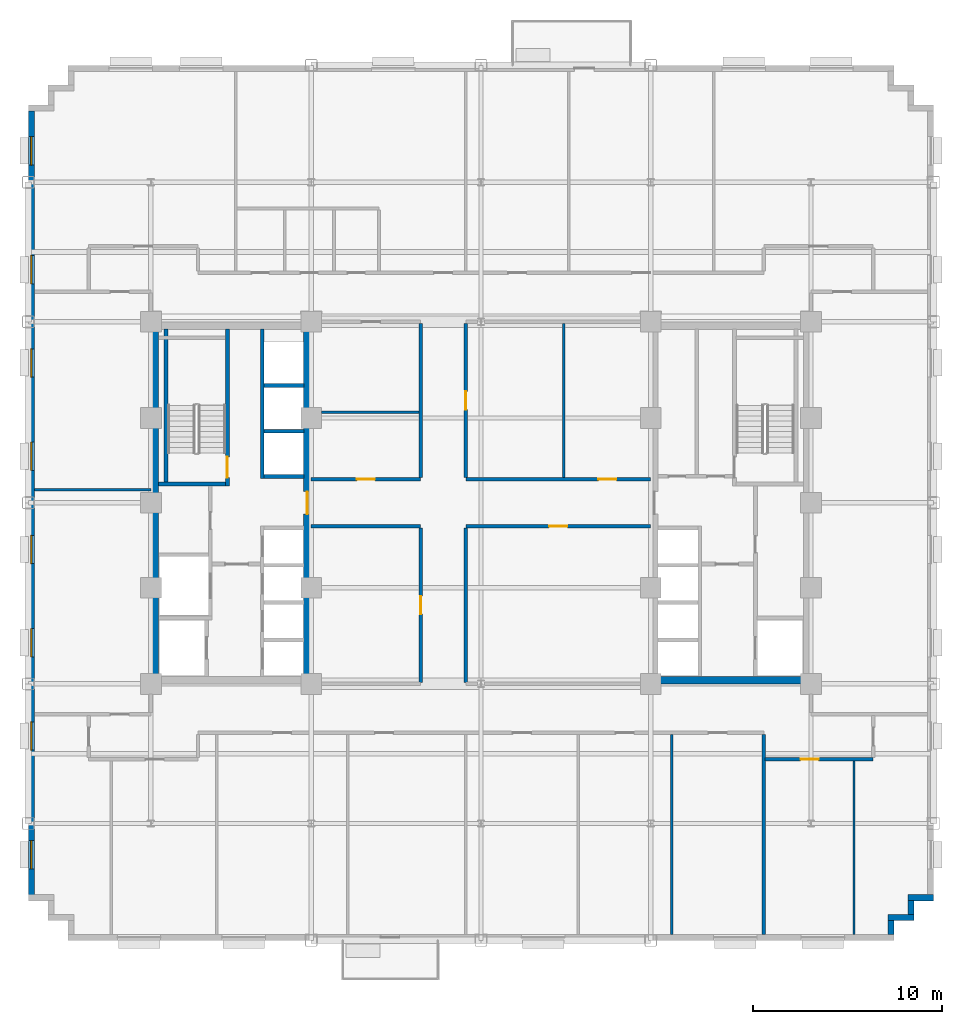
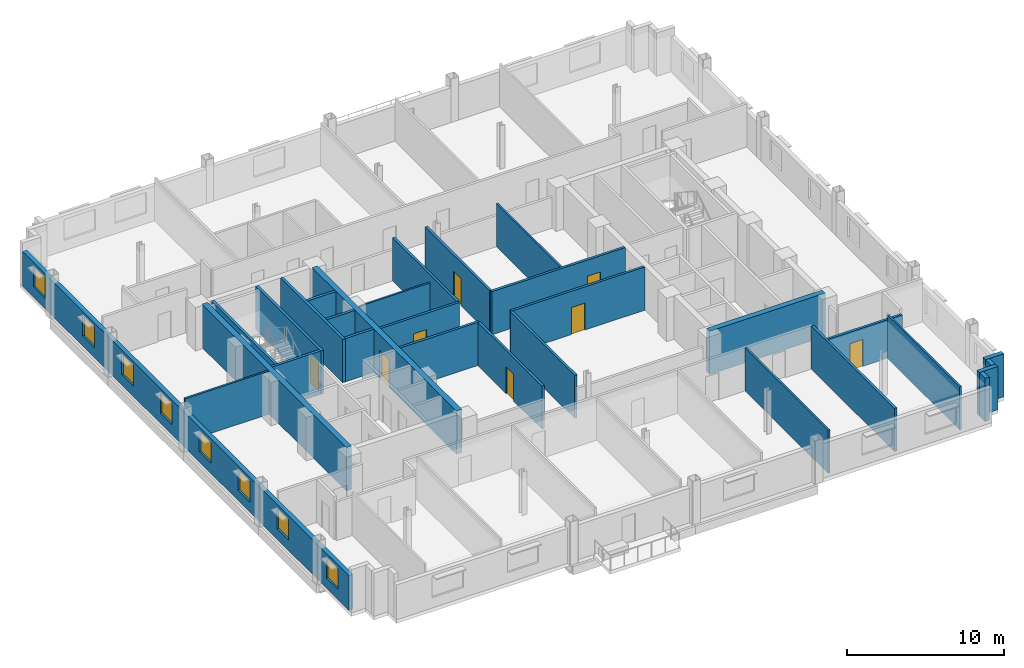
# One storey, part 7 of 14: 30 walls, 8 doors, 8 windows, 16 openings.
"""IFC4 building model written with IfcOpenShell, lengths in metres."""

from ifc_helpers import new_model, si_unit, direction, frame, frame_2d, origin, place, context, subcontext, project, spatial, rectangle, extrude, source, transform, mapped, material, layer, layer_set, type_object, type_shapes, element, fill, save


model = new_model("IFC4")

# Units and contexts
model_context = context("Model", 3, precision=1e-05, world=origin(), true_north=direction((0.0, 1.0)))
body_context = subcontext(model_context, "Body", "Model", "MODEL_VIEW")
ifc_project = project(units=[si_unit("LENGTHUNIT", "METRE"), si_unit("AREAUNIT", "SQUARE_METRE"), si_unit("VOLUMEUNIT", "CUBIC_METRE"), si_unit("PLANEANGLEUNIT", "RADIAN"), si_unit("MASSUNIT", "GRAM", prefix="KILO")], contexts=[model_context])

# Site, building, storey
site_placement = place(None, origin())
site = spatial("IfcSite", under=ifc_project, at=site_placement, CompositionType="ELEMENT")
building_placement = place(site_placement, origin())
building = spatial("IfcBuilding", under=site, at=building_placement, Name="Nuvemarco Arch Tower", CompositionType="ELEMENT")
storey_placement = place(building_placement, frame((0.0, 0.0, 101.949951171875)))
storey = spatial("IfcBuildingStorey", under=building, at=storey_placement, Name="L26", CompositionType="ELEMENT", Elevation=101.949951171875)

# Walls
ifc_material_1 = material(Name="Precast concrete C45/55", Category="concrete")
ifc_layer_1 = layer(ifc_material_1, 0.320068359375, Name="EW-MID-320")
ifc_layer_set_1 = layer_set([ifc_layer_1], Name="Precast concrete C45/55")
wall_type_1 = type_object("IfcWallType", Name="EW-MID-320", PredefinedType="STANDARD", material=ifc_layer_set_1)
wall_1_placement = place(storey_placement, frame((21.739990234375, -22.884033203125, 0.0), z_axis=(0.0, 0.0, 1.0), x_axis=(0.0, 1.0, 0.0)))
element("IfcWall", 1, at=wall_1_placement, inside=storey, type_object=wall_type_1, Name="L26 exterior precast facade wall 2", PredefinedType="STANDARD", context=body_context, shape_type="SweptSolid", body=[
    extrude(rectangle(XDim=0.738037109375, YDim=0.320068359375, at=frame_2d((0.369140625, 0.0))), origin(), (0.0, 0.0, 1.0), 3.360107421875),
])
wall_2_placement = place(storey_placement, frame((21.580078125, -21.989990234375, 0.0), z_axis=(0.0, 0.0, 1.0), x_axis=(1.0, 0.0, 0.0)))
element("IfcWall", 2, at=wall_2_placement, inside=storey, type_object=wall_type_1, Name="L26 exterior precast facade wall 3", PredefinedType="STANDARD", context=body_context, shape_type="SweptSolid", body=[
    extrude(rectangle(XDim=1.369873046875, YDim=0.320068359375, at=frame_2d((0.68505859375, 0.0))), origin(), (0.0, 0.0, 1.0), 3.360107421875),
])
wall_3_placement = place(storey_placement, frame((22.7900390625, -21.833984375, 0.0), z_axis=(0.0, 0.0, 1.0), x_axis=(0.0, 1.0, 0.0)))
element("IfcWall", 3, at=wall_3_placement, inside=storey, type_object=wall_type_1, Name="L26 exterior precast facade wall 4", PredefinedType="STANDARD", context=body_context, shape_type="SweptSolid", body=[
    extrude(rectangle(XDim=0.738037109375, YDim=0.320068359375, at=frame_2d((0.369140625, 0.0))), origin(), (0.0, 0.0, 1.0), 3.360107421875),
])
wall_4_placement = place(storey_placement, frame((22.6298828125, -20.93994140625, 0.0), z_axis=(0.0, 0.0, 1.0), x_axis=(1.0, 0.0, 0.0)))
element("IfcWall", 4, at=wall_4_placement, inside=storey, type_object=wall_type_1, Name="L26 exterior precast facade wall 5", PredefinedType="STANDARD", context=body_context, shape_type="SweptSolid", body=[
    extrude(rectangle(XDim=1.3701171875, YDim=0.320068359375, at=frame_2d((0.68505859375, 0.0))), origin(), (0.0, 0.0, 1.0), 3.360107421875),
])

# Wall, openings, windows
wall_5_placement = place(storey_placement, frame((-23.840087890625, -20.783935546875, 0.0), z_axis=(0.0, 0.0, 1.0), x_axis=(0.0, 1.0, 0.0)))
wall_5 = element("IfcWall", 5, at=wall_5_placement, inside=storey, type_object=wall_type_1, Name="L26 exterior precast facade wall 16", PredefinedType="STANDARD", context=body_context, shape_type="SweptSolid", body=[
    extrude(rectangle(XDim=41.56787109375, YDim=0.320068359375, at=frame_2d((20.783935546875, 0.0))), origin(), (0.0, 0.0, 1.0), 2.705078125),
])
opening_1_placement = place(wall_5_placement, frame((1.373046875, 0.0, 0.800048828125)))
opening_1 = element("IfcOpeningElement", 6, at=opening_1_placement, cuts=wall_5, Name="Opening WN-11", PredefinedType="OPENING", context=body_context, shape_type="SweptSolid", body=[
    extrude(rectangle(XDim=1.5, YDim=1.60009765625, at=frame_2d((0.75, 0.800048828125))), frame((0.0, 0.169921875, 0.0), z_axis=(0.0, -1.0, 0.0), x_axis=(1.0, 0.0, 0.0)), (0.0, 0.0, 1.0), 0.340087890625),
])
opening_2_placement = place(wall_5_placement, frame((7.6689453125, 0.0, 0.800048828125)))
opening_2 = element("IfcOpeningElement", 7, at=opening_2_placement, cuts=wall_5, Name="Opening WN-11", PredefinedType="OPENING", context=body_context, shape_type="SweptSolid", body=[
    extrude(rectangle(XDim=1.5, YDim=1.60009765625, at=frame_2d((0.75, 0.800048828125))), frame((0.0, 0.169921875, 0.0), z_axis=(0.0, -1.0, 0.0), x_axis=(1.0, 0.0, 0.0)), (0.0, 0.0, 1.0), 0.340087890625),
])
opening_3_placement = place(wall_5_placement, frame((12.614990234375, 0.0, 0.800048828125)))
opening_3 = element("IfcOpeningElement", 8, at=opening_3_placement, cuts=wall_5, Name="Opening WN-11", PredefinedType="OPENING", context=body_context, shape_type="SweptSolid", body=[
    extrude(rectangle(XDim=1.5, YDim=1.60009765625, at=frame_2d((0.75, 0.800048828125))), frame((0.0, 0.169921875, 0.0), z_axis=(0.0, -1.0, 0.0), x_axis=(1.0, 0.0, 0.0)), (0.0, 0.0, 1.0), 0.340087890625),
])
opening_4_placement = place(wall_5_placement, frame((17.56103515625, 0.0, 0.800048828125)))
opening_4 = element("IfcOpeningElement", 9, at=opening_4_placement, cuts=wall_5, Name="Opening WN-11", PredefinedType="OPENING", context=body_context, shape_type="SweptSolid", body=[
    extrude(rectangle(XDim=1.5, YDim=1.60009765625, at=frame_2d((0.75, 0.800048828125))), frame((0.0, 0.169921875, 0.0), z_axis=(0.0, -1.0, 0.0), x_axis=(1.0, 0.0, 0.0)), (0.0, 0.0, 1.0), 0.340087890625),
])
opening_5_placement = place(wall_5_placement, frame((22.507080078125, 0.0, 0.800048828125)))
opening_5 = element("IfcOpeningElement", 10, at=opening_5_placement, cuts=wall_5, Name="Opening WN-11", PredefinedType="OPENING", context=body_context, shape_type="SweptSolid", body=[
    extrude(rectangle(XDim=1.5, YDim=1.60009765625, at=frame_2d((0.75, 0.800048828125))), frame((0.0, 0.169921875, 0.0), z_axis=(0.0, -1.0, 0.0), x_axis=(1.0, 0.0, 0.0)), (0.0, 0.0, 1.0), 0.340087890625),
])
opening_6_placement = place(wall_5_placement, frame((27.452880859375, 0.0, 0.800048828125)))
opening_6 = element("IfcOpeningElement", 11, at=opening_6_placement, cuts=wall_5, Name="Opening WN-11", PredefinedType="OPENING", context=body_context, shape_type="SweptSolid", body=[
    extrude(rectangle(XDim=1.5, YDim=1.60009765625, at=frame_2d((0.75, 0.800048828125))), frame((0.0, 0.169921875, 0.0), z_axis=(0.0, -1.0, 0.0), x_axis=(1.0, 0.0, 0.0)), (0.0, 0.0, 1.0), 0.340087890625),
])
opening_7_placement = place(wall_5_placement, frame((32.39892578125, 0.0, 0.800048828125)))
opening_7 = element("IfcOpeningElement", 12, at=opening_7_placement, cuts=wall_5, Name="Opening WN-11", PredefinedType="OPENING", context=body_context, shape_type="SweptSolid", body=[
    extrude(rectangle(XDim=1.5, YDim=1.60009765625, at=frame_2d((0.75, 0.800048828125))), frame((0.0, 0.169921875, 0.0), z_axis=(0.0, -1.0, 0.0), x_axis=(1.0, 0.0, 0.0)), (0.0, 0.0, 1.0), 0.340087890625),
])
opening_8_placement = place(wall_5_placement, frame((38.695068359375, 0.0, 0.800048828125)))
opening_8 = element("IfcOpeningElement", 13, at=opening_8_placement, cuts=wall_5, Name="Opening WN-11", PredefinedType="OPENING", context=body_context, shape_type="SweptSolid", body=[
    extrude(rectangle(XDim=1.5, YDim=1.60009765625, at=frame_2d((0.75, 0.800048828125))), frame((0.0, 0.169921875, 0.0), z_axis=(0.0, -1.0, 0.0), x_axis=(1.0, 0.0, 0.0)), (0.0, 0.0, 1.0), 0.340087890625),
])
ifc_material_2 = material(Name="Insulated solar-control glass", Category="glass")
window_type = type_object("IfcWindowType", Name="WN-STEP-1500x1850", PartitioningType="SINGLE_PANEL", PredefinedType="WINDOW", material=ifc_material_2)
shared_shape_1 = source(origin(), body_context, "Body", "SweptSolid", [
    extrude(rectangle(XDim=1.5, YDim=1.60009765625, at=frame_2d((0.75, 0.800048828125))), frame((0.0, 0.030029296875, 0.0), z_axis=(0.0, -1.0, 0.0), x_axis=(1.0, 0.0, 0.0)), (0.0, 0.0, 1.0), 0.06005859375),
])
type_shapes(window_type, [shared_shape_1])
window_1_placement = place(opening_1_placement, origin())
window_1 = element("IfcWindow", 14, at=window_1_placement, inside=storey, type_object=window_type, Name="L26 punched facade window 1", OverallHeight=1.60009765625, OverallWidth=1.5, PartitioningType="SINGLE_PANEL", PredefinedType="WINDOW", context=body_context, shape_type="MappedRepresentation", body=[
    mapped(shared_shape_1, transform((0.0, 0.0, 0.0), scale=1.0)),
])
fill(opening_1, window_1)
window_2_placement = place(opening_2_placement, origin())
window_2 = element("IfcWindow", 15, at=window_2_placement, inside=storey, type_object=window_type, Name="L26 punched facade window 2", OverallHeight=1.60009765625, OverallWidth=1.5, PartitioningType="SINGLE_PANEL", PredefinedType="WINDOW", context=body_context, shape_type="MappedRepresentation", body=[
    mapped(shared_shape_1, transform((0.0, 0.0, 0.0), scale=1.0)),
])
fill(opening_2, window_2)
window_3_placement = place(opening_3_placement, origin())
window_3 = element("IfcWindow", 16, at=window_3_placement, inside=storey, type_object=window_type, Name="L26 punched facade window 3", OverallHeight=1.60009765625, OverallWidth=1.5, PartitioningType="SINGLE_PANEL", PredefinedType="WINDOW", context=body_context, shape_type="MappedRepresentation", body=[
    mapped(shared_shape_1, transform((0.0, 0.0, 0.0), scale=1.0)),
])
fill(opening_3, window_3)
window_4_placement = place(opening_4_placement, origin())
window_4 = element("IfcWindow", 17, at=window_4_placement, inside=storey, type_object=window_type, Name="L26 punched facade window 4", OverallHeight=1.60009765625, OverallWidth=1.5, PartitioningType="SINGLE_PANEL", PredefinedType="WINDOW", context=body_context, shape_type="MappedRepresentation", body=[
    mapped(shared_shape_1, transform((0.0, 0.0, 0.0), scale=1.0)),
])
fill(opening_4, window_4)
window_5_placement = place(opening_5_placement, origin())
window_5 = element("IfcWindow", 18, at=window_5_placement, inside=storey, type_object=window_type, Name="L26 punched facade window 5", OverallHeight=1.60009765625, OverallWidth=1.5, PartitioningType="SINGLE_PANEL", PredefinedType="WINDOW", context=body_context, shape_type="MappedRepresentation", body=[
    mapped(shared_shape_1, transform((0.0, 0.0, 0.0), scale=1.0)),
])
fill(opening_5, window_5)
window_6_placement = place(opening_6_placement, origin())
window_6 = element("IfcWindow", 19, at=window_6_placement, inside=storey, type_object=window_type, Name="L26 punched facade window 6", OverallHeight=1.60009765625, OverallWidth=1.5, PartitioningType="SINGLE_PANEL", PredefinedType="WINDOW", context=body_context, shape_type="MappedRepresentation", body=[
    mapped(shared_shape_1, transform((0.0, 0.0, 0.0), scale=1.0)),
])
fill(opening_6, window_6)
window_7_placement = place(opening_7_placement, origin())
window_7 = element("IfcWindow", 20, at=window_7_placement, inside=storey, type_object=window_type, Name="L26 punched facade window 7", OverallHeight=1.60009765625, OverallWidth=1.5, PartitioningType="SINGLE_PANEL", PredefinedType="WINDOW", context=body_context, shape_type="MappedRepresentation", body=[
    mapped(shared_shape_1, transform((0.0, 0.0, 0.0), scale=1.0)),
])
fill(opening_7, window_7)
window_8_placement = place(opening_8_placement, origin())
window_8 = element("IfcWindow", 21, at=window_8_placement, inside=storey, type_object=window_type, Name="L26 punched facade window 8", OverallHeight=1.60009765625, OverallWidth=1.5, PartitioningType="SINGLE_PANEL", PredefinedType="WINDOW", context=body_context, shape_type="MappedRepresentation", body=[
    mapped(shared_shape_1, transform((0.0, 0.0, 0.0), scale=1.0)),
])
fill(opening_8, window_8)

# Wall
ifc_material_3 = material(Name="Concrete C60/75", Category="concrete")
ifc_layer_2 = layer(ifc_material_3, 0.39990234375, Name="WL-CORE-400")
ifc_layer_set_2 = layer_set([ifc_layer_2], Name="Concrete C60/75")
wall_type_2 = type_object("IfcWallType", Name="WL-CORE-400", PredefinedType="SHEAR", material=ifc_layer_set_2)
wall_6_placement = place(storey_placement, frame((-17.300048828125, -9.205078125, 0.0), z_axis=(0.0, 0.0, 1.0), x_axis=(0.0, 1.0, 0.0)))
element("IfcWall", 22, at=wall_6_placement, inside=storey, type_object=wall_type_2, Name="L26 W-core shear wall W", PredefinedType="SHEAR", context=body_context, shape_type="SweptSolid", body=[
    extrude(rectangle(XDim=18.41015625, YDim=0.39990234375, at=frame_2d((9.205078125, 0.0))), origin(), (0.0, 0.0, 1.0), 3.3701171875),
])

# Wall, opening, door
wall_7_placement = place(storey_placement, frame((-9.199951171875, -9.205078125, 0.0), z_axis=(0.0, 0.0, 1.0), x_axis=(0.0, 1.0, 0.0)))
wall_7 = element("IfcWall", 23, at=wall_7_placement, inside=storey, type_object=wall_type_2, Name="L26 W-core shear wall E", PredefinedType="SHEAR", context=body_context, shape_type="SweptSolid", body=[
    extrude(rectangle(XDim=18.41015625, YDim=0.39990234375, at=frame_2d((9.205078125, 0.0))), origin(), (0.0, 0.0, 1.0), 3.3701171875),
])
opening_9_placement = place(wall_7_placement, frame((8.60498046875, 0.0, 0.0)))
opening_9 = element("IfcOpeningElement", 24, at=opening_9_placement, cuts=wall_7, Name="Opening FD-2", PredefinedType="OPENING", context=body_context, shape_type="SweptSolid", body=[
    extrude(rectangle(XDim=1.199951171875, YDim=2.14990234375, at=frame_2d((0.60009765625, 1.074951171875))), frame((0.0, 0.2099609375, 0.0), z_axis=(0.0, -1.0, 0.0), x_axis=(1.0, 0.0, 0.0)), (0.0, 0.0, 1.0), 0.419921875),
])
ifc_material_4 = material(Name="Anodised steel fire door", Category="steel")
door_type_1 = type_object("IfcDoorType", Name="DR-FFLOB-FD", OperationType="NOTDEFINED", PredefinedType="DOOR", material=ifc_material_4)
shared_shape_2 = source(origin(), body_context, "Body", "SweptSolid", [
    extrude(rectangle(XDim=1.199951171875, YDim=2.14990234375, at=frame_2d((0.60009765625, 1.074951171875))), frame((0.0, 0.02490234375, 0.0), z_axis=(0.0, -1.0, 0.0), x_axis=(1.0, 0.0, 0.0)), (0.0, 0.0, 1.0), 0.050048828125),
])
type_shapes(door_type_1, [shared_shape_2])
door_1_placement = place(opening_9_placement, origin())
door_1 = element("IfcDoor", 25, at=door_1_placement, inside=storey, type_object=door_type_1, Name="L26 door FD-L26-WCORE-E", OperationType="SINGLE_SWING_RIGHT", OverallHeight=2.14990234375, OverallWidth=1.199951171875, PredefinedType="DOOR", context=body_context, shape_type="MappedRepresentation", body=[
    mapped(shared_shape_2, transform((0.0, 0.0, 0.0), scale=1.0)),
])
fill(opening_9, door_1)

# Wall
wall_8_placement = place(storey_placement, frame((9.0, -9.39990234375, 0.0), z_axis=(0.0, 0.0, 1.0), x_axis=(1.0, 0.0, 0.0)))
element("IfcWall", 26, at=wall_8_placement, inside=storey, type_object=wall_type_2, Name="L26 E-core shear wall S", PredefinedType="SHEAR", context=body_context, shape_type="SweptSolid", body=[
    extrude(rectangle(XDim=8.5, YDim=0.39990234375, at=frame_2d((4.25, 0.0))), origin(), (0.0, 0.0, 1.0), 3.3701171875),
])

# Wall, opening, door
ifc_material_5 = material(Name="Fire-rated gypsum drywall partition")
ifc_layer_3 = layer(ifc_material_5, 0.179931640625, Name="WL-CORR-180")
ifc_layer_set_3 = layer_set([ifc_layer_3], Name="Fire-rated gypsum drywall partition")
wall_type_3 = type_object("IfcWallType", Name="WL-CORR-180", PredefinedType="PARTITIONING", material=ifc_layer_set_3)
wall_9_placement = place(storey_placement, frame((15.070068359375, -13.60009765625, 0.0), z_axis=(0.0, 0.0, 1.0), x_axis=(1.0, 0.0, 0.0)))
wall_9 = element("IfcWall", 27, at=wall_9_placement, inside=storey, type_object=wall_type_3, Name="L26 interior wall IW-L26-002", PredefinedType="PARTITIONING", context=body_context, shape_type="SweptSolid", body=[
    extrude(rectangle(XDim=5.72998046875, YDim=0.179931640625, at=frame_2d((2.864990234375, 0.0))), origin(), (0.0, 0.0, 1.0), 2.998046875),
])
opening_10_placement = place(wall_9_placement, frame((1.875, 0.0, 0.0)))
opening_10 = element("IfcOpeningElement", 28, at=opening_10_placement, cuts=wall_9, Name="Opening FD-5", PredefinedType="OPENING", context=body_context, shape_type="SweptSolid", body=[
    extrude(rectangle(XDim=0.9599609375, YDim=2.10009765625, at=frame_2d((0.47998046875, 1.050048828125))), frame((0.0, 0.099853515625, 0.0), z_axis=(0.0, -1.0, 0.0), x_axis=(1.0, 0.0, 0.0)), (0.0, 0.0, 1.0), 0.199951171875),
])
ifc_material_6 = material(Name="Timber fire door", Category="wood")
door_type_2 = type_object("IfcDoorType", Name="DR-CORR-FD", OperationType="NOTDEFINED", PredefinedType="DOOR", material=ifc_material_6)
shared_shape_3 = source(origin(), body_context, "Body", "SweptSolid", [
    extrude(rectangle(XDim=0.9599609375, YDim=2.10009765625, at=frame_2d((0.47998046875, 1.050048828125))), frame((0.0, 0.02490234375, 0.0), z_axis=(0.0, -1.0, 0.0), x_axis=(1.0, 0.0, 0.0)), (0.0, 0.0, 1.0), 0.050048828125),
])
type_shapes(door_type_2, [shared_shape_3])
door_2_placement = place(opening_10_placement, origin())
door_2 = element("IfcDoor", 29, at=door_2_placement, inside=storey, type_object=door_type_2, Name="L26 door DR-L26-S_8", OperationType="SINGLE_SWING_LEFT", OverallHeight=2.10009765625, OverallWidth=0.9599609375, PredefinedType="DOOR", context=body_context, shape_type="MappedRepresentation", body=[
    mapped(shared_shape_3, transform((0.0, 0.0, 0.0), scale=1.0)),
])
fill(opening_10, door_2)

# Wall
wall_10_placement = place(storey_placement, frame((-9.0, -1.25, 0.0), z_axis=(0.0, 0.0, 1.0), x_axis=(1.0, 0.0, 0.0)))
element("IfcWall", 30, at=wall_10_placement, inside=storey, type_object=wall_type_3, Name="L26 interior wall IW-L26-009", PredefinedType="PARTITIONING", context=body_context, shape_type="SweptSolid", body=[
    extrude(rectangle(XDim=5.800048828125, YDim=0.179931640625, at=frame_2d((2.89990234375, 0.0))), origin(), (0.0, 0.0, 1.0), 3.360107421875),
])

# Wall, opening, door
wall_11_placement = place(storey_placement, frame((-0.800048828125, -1.25, 0.0), z_axis=(0.0, 0.0, 1.0), x_axis=(1.0, 0.0, 0.0)))
wall_11 = element("IfcWall", 31, at=wall_11_placement, inside=storey, type_object=wall_type_3, Name="L26 interior wall IW-L26-010", PredefinedType="PARTITIONING", context=body_context, shape_type="SweptSolid", body=[
    extrude(rectangle(XDim=9.800048828125, YDim=0.179931640625, at=frame_2d((4.89990234375, 0.0))), origin(), (0.0, 0.0, 1.0), 3.360107421875),
])
opening_11_placement = place(wall_11_placement, frame((4.419921875, 0.0, 0.0)))
opening_11 = element("IfcOpeningElement", 32, at=opening_11_placement, cuts=wall_11, Name="Opening FD-5", PredefinedType="OPENING", context=body_context, shape_type="SweptSolid", body=[
    extrude(rectangle(XDim=0.9599609375, YDim=2.10009765625, at=frame_2d((0.47998046875, 1.050048828125))), frame((0.0, 0.099853515625, 0.0), z_axis=(0.0, -1.0, 0.0), x_axis=(1.0, 0.0, 0.0)), (0.0, 0.0, 1.0), 0.199951171875),
])
door_3_placement = place(opening_11_placement, origin())
door_3 = element("IfcDoor", 33, at=door_3_placement, inside=storey, type_object=door_type_2, Name="L26 door DR-L26-C_SE", OperationType="SINGLE_SWING_RIGHT", OverallHeight=2.10009765625, OverallWidth=0.9599609375, PredefinedType="DOOR", context=body_context, shape_type="MappedRepresentation", body=[
    mapped(shared_shape_3, transform((0.0, 0.0, 0.0), scale=1.0)),
])
fill(opening_11, door_3)

wall_12_placement = place(storey_placement, frame((-9.0, 1.25, 0.0), z_axis=(0.0, 0.0, 1.0), x_axis=(1.0, 0.0, 0.0)))
wall_12 = element("IfcWall", 34, at=wall_12_placement, inside=storey, type_object=wall_type_3, Name="L26 interior wall IW-L26-012", PredefinedType="PARTITIONING", context=body_context, shape_type="SweptSolid", body=[
    extrude(rectangle(XDim=5.800048828125, YDim=0.179931640625, at=frame_2d((2.89990234375, 0.0))), origin(), (0.0, 0.0, 1.0), 3.360107421875),
])
opening_12_placement = place(wall_12_placement, frame((2.419921875, 0.0, 0.0)))
opening_12 = element("IfcOpeningElement", 35, at=opening_12_placement, cuts=wall_12, Name="Opening FD-5", PredefinedType="OPENING", context=body_context, shape_type="SweptSolid", body=[
    extrude(rectangle(XDim=0.9599609375, YDim=2.10009765625, at=frame_2d((0.47998046875, 1.050048828125))), frame((0.0, 0.099853515625, 0.0), z_axis=(0.0, -1.0, 0.0), x_axis=(1.0, 0.0, 0.0)), (0.0, 0.0, 1.0), 0.199951171875),
])
door_4_placement = place(opening_12_placement, origin())
door_4 = element("IfcDoor", 36, at=door_4_placement, inside=storey, type_object=door_type_2, Name="L26 door DR-L26-C_NW1", OperationType="SINGLE_SWING_RIGHT", OverallHeight=2.10009765625, OverallWidth=0.9599609375, PredefinedType="DOOR", context=body_context, shape_type="MappedRepresentation", body=[
    mapped(shared_shape_3, transform((0.0, 0.0, 0.0), scale=1.0)),
])
fill(opening_12, door_4)

wall_13_placement = place(storey_placement, frame((-0.800048828125, 1.25, 0.0), z_axis=(0.0, 0.0, 1.0), x_axis=(1.0, 0.0, 0.0)))
wall_13 = element("IfcWall", 37, at=wall_13_placement, inside=storey, type_object=wall_type_3, Name="L26 interior wall IW-L26-013", PredefinedType="PARTITIONING", context=body_context, shape_type="SweptSolid", body=[
    extrude(rectangle(XDim=9.800048828125, YDim=0.179931640625, at=frame_2d((4.89990234375, 0.0))), origin(), (0.0, 0.0, 1.0), 3.360107421875),
])
opening_13_placement = place(wall_13_placement, frame((7.02001953125, 0.0, 0.0)))
opening_13 = element("IfcOpeningElement", 38, at=opening_13_placement, cuts=wall_13, Name="Opening FD-5", PredefinedType="OPENING", context=body_context, shape_type="SweptSolid", body=[
    extrude(rectangle(XDim=0.9599609375, YDim=2.10009765625, at=frame_2d((0.47998046875, 1.050048828125))), frame((0.0, 0.099853515625, 0.0), z_axis=(0.0, -1.0, 0.0), x_axis=(1.0, 0.0, 0.0)), (0.0, 0.0, 1.0), 0.199951171875),
])
door_5_placement = place(opening_13_placement, origin())
door_5 = element("IfcDoor", 39, at=door_5_placement, inside=storey, type_object=door_type_2, Name="L26 door DR-L26-C_NE2", OperationType="SINGLE_SWING_RIGHT", OverallHeight=2.10009765625, OverallWidth=0.9599609375, PredefinedType="DOOR", context=body_context, shape_type="MappedRepresentation", body=[
    mapped(shared_shape_3, transform((0.0, 0.0, 0.0), scale=1.0)),
])
fill(opening_13, door_5)

wall_14_placement = place(storey_placement, frame((-3.199951171875, -9.513916015625, 0.0), z_axis=(0.0, 0.0, 1.0), x_axis=(0.0, 1.0, 0.0)))
wall_14 = element("IfcWall", 40, at=wall_14_placement, inside=storey, type_object=wall_type_3, Name="L26 interior wall IW-L26-037", PredefinedType="PARTITIONING", context=body_context, shape_type="SweptSolid", body=[
    extrude(rectangle(XDim=8.177978515625, YDim=0.179931640625, at=frame_2d((4.0888671875, 0.0))), origin(), (0.0, 0.0, 1.0), 3.360107421875),
])
opening_14_placement = place(wall_14_placement, frame((3.60888671875, 0.0, 0.0)))
opening_14 = element("IfcOpeningElement", 41, at=opening_14_placement, cuts=wall_14, Name="Opening FD-5", PredefinedType="OPENING", context=body_context, shape_type="SweptSolid", body=[
    extrude(rectangle(XDim=0.9599609375, YDim=2.10009765625, at=frame_2d((0.47998046875, 1.050048828125))), frame((0.0, 0.099853515625, 0.0), z_axis=(0.0, -1.0, 0.0), x_axis=(1.0, 0.0, 0.0)), (0.0, 0.0, 1.0), 0.199951171875),
])
door_6_placement = place(opening_14_placement, origin())
door_6 = element("IfcDoor", 42, at=door_6_placement, inside=storey, type_object=door_type_2, Name="L26 door DR-L26-C_SW", OperationType="SINGLE_SWING_LEFT", OverallHeight=2.10009765625, OverallWidth=0.9599609375, PredefinedType="DOOR", context=body_context, shape_type="MappedRepresentation", body=[
    mapped(shared_shape_3, transform((0.0, 0.0, 0.0), scale=1.0)),
])
fill(opening_14, door_6)

# Walls
for number, where, z_axis, x_axis, name in (
    (43, (-3.199951171875, 1.3359375, 0.0), (0.0, 0.0, 1.0), (0.0, 1.0, 0.0), "L26 interior wall IW-L26-038"),
    (44, (-0.800048828125, -9.513916015625, 0.0), (0.0, 0.0, 1.0), (0.0, 1.0, 0.0), "L26 interior wall IW-L26-040"),
):
    element("IfcWall", number, at=place(storey_placement, frame(where, z_axis=z_axis, x_axis=x_axis)), inside=storey, type_object=wall_type_3, Name=name, PredefinedType="PARTITIONING", context=body_context, shape_type="SweptSolid", body=[
        extrude(rectangle(XDim=8.177978515625, YDim=0.179931640625, at=frame_2d((4.0888671875, 0.0))), origin(), (0.0, 0.0, 1.0), 3.360107421875),
    ])

# Wall, opening, door
wall_15_placement = place(storey_placement, frame((-0.800048828125, 1.3359375, 0.0), z_axis=(0.0, 0.0, 1.0), x_axis=(0.0, 1.0, 0.0)))
wall_15 = element("IfcWall", 45, at=wall_15_placement, inside=storey, type_object=wall_type_3, Name="L26 interior wall IW-L26-041", PredefinedType="PARTITIONING", context=body_context, shape_type="SweptSolid", body=[
    extrude(rectangle(XDim=8.177978515625, YDim=0.179931640625, at=frame_2d((4.0888671875, 0.0))), origin(), (0.0, 0.0, 1.0), 3.360107421875),
])
opening_15_placement = place(wall_15_placement, frame((3.60888671875, 0.0, 0.0)))
opening_15 = element("IfcOpeningElement", 46, at=opening_15_placement, cuts=wall_15, Name="Opening FD-5", PredefinedType="OPENING", context=body_context, shape_type="SweptSolid", body=[
    extrude(rectangle(XDim=0.9599609375, YDim=2.10009765625, at=frame_2d((0.47998046875, 1.050048828125))), frame((0.0, 0.099853515625, 0.0), z_axis=(0.0, -1.0, 0.0), x_axis=(1.0, 0.0, 0.0)), (0.0, 0.0, 1.0), 0.199951171875),
])
door_7_placement = place(opening_15_placement, origin())
door_7 = element("IfcDoor", 47, at=door_7_placement, inside=storey, type_object=door_type_2, Name="L26 door DR-L26-C_NE1", OperationType="SINGLE_SWING_RIGHT", OverallHeight=2.10009765625, OverallWidth=0.9599609375, PredefinedType="DOOR", context=body_context, shape_type="MappedRepresentation", body=[
    mapped(shared_shape_3, transform((0.0, 0.0, 0.0), scale=1.0)),
])
fill(opening_15, door_7)

# Walls
wall_16_placement = place(storey_placement, frame((15.0, -22.8798828125, 0.0), z_axis=(0.0, 0.0, 1.0), x_axis=(0.0, 1.0, 0.0)))
element("IfcWall", 48, at=wall_16_placement, inside=storey, type_object=wall_type_3, Name="L26 interior wall IW-L26-048", PredefinedType="PARTITIONING", context=body_context, shape_type="SweptSolid", body=[
    extrude(rectangle(XDim=10.593994140625, YDim=0.179931640625, at=frame_2d((5.296875, 0.0))), origin(), (0.0, 0.0, 1.0), 3.360107421875),
])
ifc_material_7 = material(Name="Glazed acoustic office partition")
ifc_layer_4 = layer(ifc_material_7, 0.1298828125, Name="WL-EXEC-130")
ifc_layer_set_4 = layer_set([ifc_layer_4], Name="Glazed acoustic office partition")
wall_type_4 = type_object("IfcWallType", Name="WL-EXEC-130", PredefinedType="PARTITIONING", material=ifc_layer_set_4)
wall_17_placement = place(storey_placement, frame((-8.4541015625, 4.800048828125, 0.0), z_axis=(0.0, 0.0, 1.0), x_axis=(1.0, 0.0, 0.0)))
element("IfcWall", 49, at=wall_17_placement, inside=storey, type_object=wall_type_4, Name="L26 interior wall IW-L26-014", PredefinedType="PARTITIONING", context=body_context, shape_type="SweptSolid", body=[
    extrude(rectangle(XDim=5.168212890625, YDim=0.1298828125, at=frame_2d((2.583984375, 0.0))), origin(), (0.0, 0.0, 1.0), 2.738037109375),
])
wall_18_placement = place(storey_placement, frame((4.39990234375, 1.3359375, 0.0), z_axis=(0.0, 0.0, 1.0), x_axis=(0.0, 1.0, 0.0)))
element("IfcWall", 50, at=wall_18_placement, inside=storey, type_object=wall_type_4, Name="L26 interior wall IW-L26-043", PredefinedType="PARTITIONING", context=body_context, shape_type="SweptSolid", body=[
    extrude(rectangle(XDim=8.177978515625, YDim=0.1298828125, at=frame_2d((4.0888671875, 0.0))), origin(), (0.0, 0.0, 1.0), 3.360107421875),
])
wall_19_placement = place(storey_placement, frame((19.780029296875, -22.8798828125, 0.0), z_axis=(0.0, 0.0, 1.0), x_axis=(0.0, 1.0, 0.0)))
element("IfcWall", 51, at=wall_19_placement, inside=storey, type_object=wall_type_4, Name="L26 interior wall IW-L26-052", PredefinedType="PARTITIONING", context=body_context, shape_type="SweptSolid", body=[
    extrude(rectangle(XDim=9.19384765625, YDim=0.1298828125, at=frame_2d((4.596923828125, 0.0))), origin(), (0.0, 0.0, 1.0), 3.360107421875),
])
ifc_material_8 = material(Name="Gypsum plasterboard partition")
ifc_layer_5 = layer(ifc_material_8, 0.139892578125, Name="WL-ROOM-140")
ifc_layer_set_5 = layer_set([ifc_layer_5], Name="Gypsum plasterboard partition")
wall_type_5 = type_object("IfcWallType", Name="WL-ROOM-140", PredefinedType="PARTITIONING", material=ifc_layer_set_5)
wall_20_placement = place(storey_placement, frame((-23.679931640625, 0.699951171875, 0.0), z_axis=(0.0, 0.0, 1.0), x_axis=(1.0, 0.0, 0.0)))
element("IfcWall", 52, at=wall_20_placement, inside=storey, type_object=wall_type_5, Name="L26 interior wall IW-L26-011", PredefinedType="PARTITIONING", context=body_context, shape_type="SweptSolid", body=[
    extrude(rectangle(XDim=6.179931640625, YDim=0.139892578125, at=frame_2d((3.08984375, 0.0))), origin(), (0.0, 0.0, 1.0), 3.360107421875),
])
wall_21_placement = place(storey_placement, frame((10.110107421875, -22.8798828125, 0.0), z_axis=(0.0, 0.0, 1.0), x_axis=(0.0, 1.0, 0.0)))
element("IfcWall", 53, at=wall_21_placement, inside=storey, type_object=wall_type_5, Name="L26 interior wall IW-L26-046", PredefinedType="PARTITIONING", context=body_context, shape_type="SweptSolid", body=[
    extrude(rectangle(XDim=10.593994140625, YDim=0.139892578125, at=frame_2d((5.296875, 0.0))), origin(), (0.0, 0.0, 1.0), 3.360107421875),
])

# Wall, opening, door
ifc_material_9 = material(Name="Concrete C50/60", Category="concrete")
ifc_layer_6 = layer(ifc_material_9, 0.199951171875, Name="WL-SHAFT-220")
ifc_layer_set_6 = layer_set([ifc_layer_6], Name="Concrete C50/60")
wall_type_6 = type_object("IfcWallType", Name="WL-SHAFT-220", PredefinedType="SHEAR", material=ifc_layer_set_6)
wall_22_placement = place(storey_placement, frame((-13.43994140625, 0.89990234375, 0.0), z_axis=(0.0, 0.0, 1.0), x_axis=(0.0, 1.0, 0.0)))
wall_22 = element("IfcWall", 54, at=wall_22_placement, inside=storey, type_object=wall_type_6, Name="L26 structural shaft wall SW-L26-W-ST1E", PredefinedType="SHEAR", context=body_context, shape_type="SweptSolid", body=[
    extrude(rectangle(XDim=8.30517578125, YDim=0.199951171875, at=frame_2d((4.152587890625, 0.0))), origin(), (0.0, 0.0, 1.0), 3.3701171875),
])
opening_16_placement = place(wall_22_placement, frame((1.530029296875, 0.0, 0.0), z_axis=(0.0, 0.0, 1.0), x_axis=(-1.0, 0.0, 0.0)))
opening_16 = element("IfcOpeningElement", 55, at=opening_16_placement, cuts=wall_22, Name="Opening FD-1", PredefinedType="OPENING", context=body_context, shape_type="SweptSolid", body=[
    extrude(rectangle(XDim=1.10009765625, YDim=2.14990234375, at=frame_2d((0.550048828125, 1.074951171875))), frame((0.0, 0.10986328125, 0.0), z_axis=(0.0, -1.0, 0.0), x_axis=(1.0, 0.0, 0.0)), (0.0, 0.0, 1.0), 0.219970703125),
])
door_type_3 = type_object("IfcDoorType", Name="DR-STAIR-FD", OperationType="NOTDEFINED", PredefinedType="DOOR", material=ifc_material_4)
shared_shape_4 = source(origin(), body_context, "Body", "SweptSolid", [
    extrude(rectangle(XDim=1.10009765625, YDim=2.14990234375, at=frame_2d((0.550048828125, 1.074951171875))), frame((0.0, 0.02490234375, 0.0), z_axis=(0.0, -1.0, 0.0), x_axis=(1.0, 0.0, 0.0)), (0.0, 0.0, 1.0), 0.050048828125),
])
type_shapes(door_type_3, [shared_shape_4])
door_8_placement = place(opening_16_placement, origin())
door_8 = element("IfcDoor", 56, at=door_8_placement, inside=storey, type_object=door_type_3, Name="L26 door FD-L26-ST1", OperationType="SINGLE_SWING_RIGHT", OverallHeight=2.14990234375, OverallWidth=1.10009765625, PredefinedType="DOOR", context=body_context, shape_type="MappedRepresentation", body=[
    mapped(shared_shape_4, transform((0.0, 0.0, 0.0), scale=1.0)),
])
fill(opening_16, door_8)

# Walls
wall_23_placement = place(storey_placement, frame((-17.10498046875, 1.0, 0.0), z_axis=(0.0, 0.0, 1.0), x_axis=(1.0, 0.0, 0.0)))
element("IfcWall", 57, at=wall_23_placement, inside=storey, type_object=wall_type_6, Name="L26 structural shaft wall SW-L26-W-ST1S", PredefinedType="SHEAR", context=body_context, shape_type="SweptSolid", body=[
    extrude(rectangle(XDim=3.570068359375, YDim=0.199951171875, at=frame_2d((1.78515625, 0.0))), origin(), (0.0, 0.0, 1.0), 3.3701171875),
])
wall_24_placement = place(storey_placement, frame((-16.699951171875, 1.094970703125, 0.0), z_axis=(0.0, 0.0, 1.0), x_axis=(0.0, 1.0, 0.0)))
element("IfcWall", 58, at=wall_24_placement, inside=storey, type_object=wall_type_6, Name="L26 structural shaft wall SW-L26-W-ST1W", PredefinedType="SHEAR", context=body_context, shape_type="SweptSolid", body=[
    extrude(rectangle(XDim=8.110107421875, YDim=0.199951171875, at=frame_2d((4.05517578125, 0.0))), origin(), (0.0, 0.0, 1.0), 3.3701171875),
])
wall_25_placement = place(storey_placement, frame((-11.60009765625, 1.300048828125, 0.0), z_axis=(0.0, 0.0, 1.0), x_axis=(0.0, 1.0, 0.0)))
element("IfcWall", 59, at=wall_25_placement, inside=storey, type_object=wall_type_6, Name="L26 structural shaft wall SW-L26-W-PHW", PredefinedType="SHEAR", context=body_context, shape_type="SweptSolid", body=[
    extrude(rectangle(XDim=7.905029296875, YDim=0.199951171875, at=frame_2d((3.95263671875, 0.0))), origin(), (0.0, 0.0, 1.0), 3.3701171875),
])
for number, where, z_axis, x_axis, name in (
    (60, (-11.5048828125, 1.39990234375, 0.0), (0.0, 0.0, 1.0), (1.0, 0.0, 0.0), "L26 structural shaft wall SW-L26-W-PHD1"),
    (61, (-11.5048828125, 3.800048828125, 0.0), (0.0, 0.0, 1.0), (1.0, 0.0, 0.0), "L26 structural shaft wall SW-L26-W-PHD2"),
    (62, (-11.5048828125, 6.219970703125, 0.0), (0.0, 0.0, 1.0), (1.0, 0.0, 0.0), "L26 structural shaft wall SW-L26-W-PHD3"),
):
    element("IfcWall", number, at=place(storey_placement, frame(where, z_axis=z_axis, x_axis=x_axis)), inside=storey, type_object=wall_type_6, Name=name, PredefinedType="SHEAR", context=body_context, shape_type="SweptSolid", body=[
        extrude(rectangle(XDim=2.10986328125, YDim=0.199951171875, at=frame_2d((1.054931640625, 0.0))), origin(), (0.0, 0.0, 1.0), 3.3701171875),
    ])

save(model, "model.ifc")
